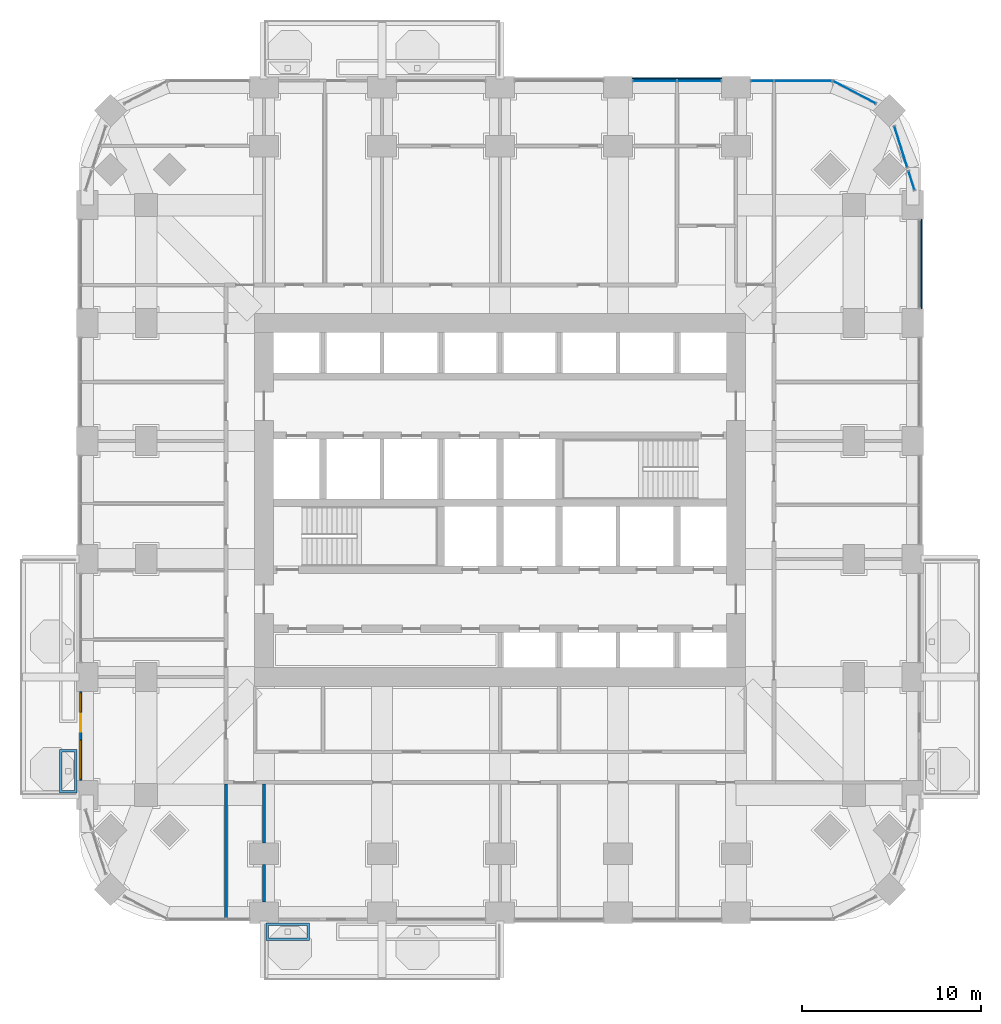
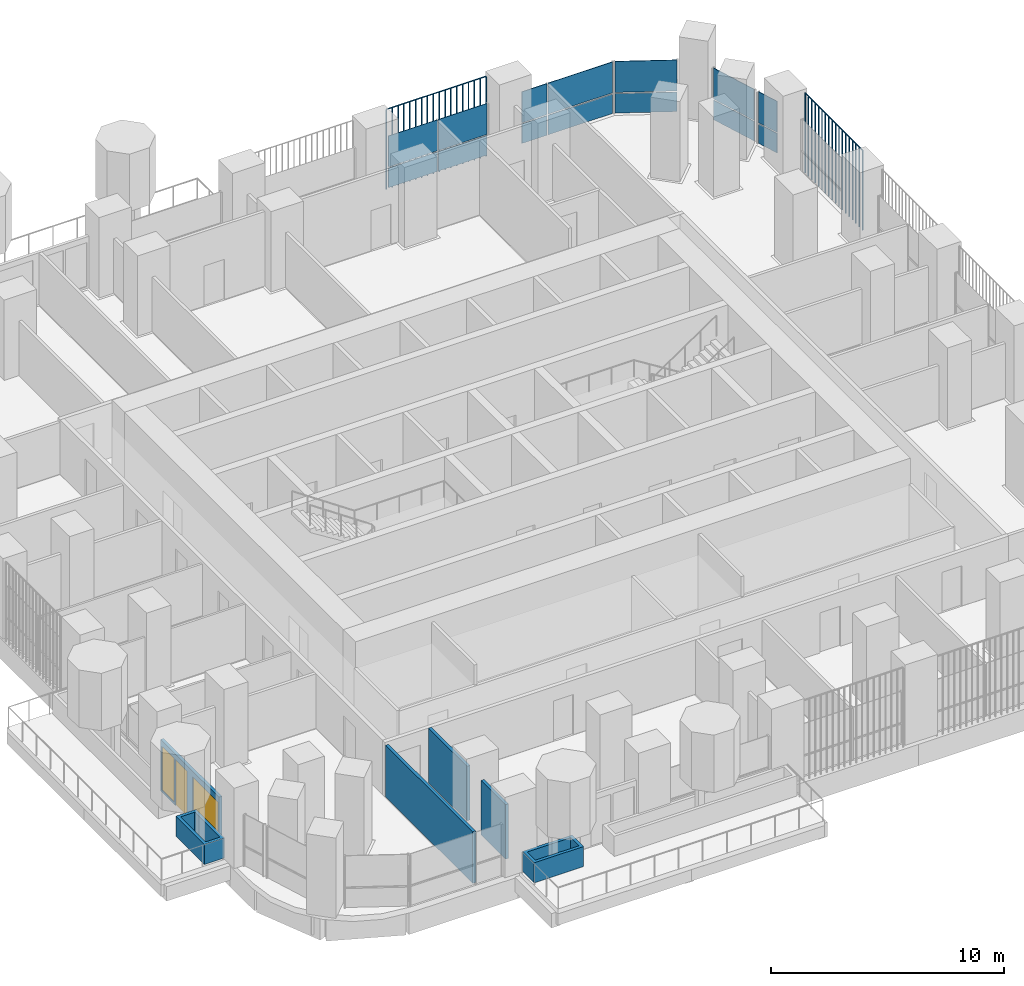
# One storey, part 12 of 21: 16 plates, 6 walls, 2 windows, 1 door, 3 openings, 5 elements without a shape of their own.
"""IFC4 building model written with IfcOpenShell, lengths in metres."""

from ifc_helpers import new_model, si_unit, direction, frame, frame_2d, origin, origin_2d, place, context, subcontext, project, spatial, polyline, rectangle, outline, extrude, material, layer, layer_set, type_object, element, fill, aggregate, save


model = new_model("IFC4")

# Units and contexts
model_context = context("Model", 3, precision=1e-05, world=origin(), true_north=direction((0.0, 1.0)))
body_context = subcontext(model_context, "Body", "Model", "MODEL_VIEW")
ifc_project = project(units=[si_unit("LENGTHUNIT", "METRE"), si_unit("AREAUNIT", "SQUARE_METRE"), si_unit("VOLUMEUNIT", "CUBIC_METRE"), si_unit("PLANEANGLEUNIT", "RADIAN"), si_unit("MASSUNIT", "GRAM", prefix="KILO")], contexts=[model_context])

# Site, building, storey
site_placement = place(None, origin())
site = spatial("IfcSite", under=ifc_project, at=site_placement, CompositionType="ELEMENT")
building_placement = place(site_placement, origin())
building = spatial("IfcBuilding", under=site, at=building_placement, Name="Cobogo Forest Laboratory Tower", CompositionType="ELEMENT")
storey_placement = place(building_placement, frame((0.0, 0.0, 107.39990234375)))
storey = spatial("IfcBuildingStorey", under=building, at=storey_placement, Name="L24", CompositionType="ELEMENT", Elevation=107.39990234375)

# Curtain wall, plates
ifc_material_1 = material(Name="Aluminium curtain wall", Category="aluminium")
curtain_wall_type = type_object("IfcCurtainWallType", Name="CW-1 unitised curtain wall, clear glazing, laboratory floors zones A and B", PredefinedType="USERDEFINED", material=ifc_material_1)
curtain_wall_1_placement = place(storey_placement, origin())
curtain_wall_1 = element("IfcCurtainWall", 1, at=curtain_wall_1_placement, inside=storey, type_object=curtain_wall_type, Name="Curtain wall 15 L24", ObjectType="UNITISED CURTAIN WALL", PredefinedType="USERDEFINED")
ifc_material_2 = material(Name="Clear insulated glass", Category="glass")
ifc_layer_1 = layer(ifc_material_2, 0.028076171875)
ifc_layer_set_1 = layer_set([ifc_layer_1], Name="GP-1 clear insulated glass unit 28")
plate_type_1 = type_object("IfcPlateType", Name="GP-1 clear insulated glass unit 28", PredefinedType="CURTAIN_PANEL", material=ifc_layer_set_1)
plate_1_placement = place(storey_placement, frame((49.41796875, 40.9677734375, 0.0), z_axis=(0.0, 0.0, 1.0), x_axis=(-0.301135667865, 0.953581307252, 0.0)))
plate_1 = element("IfcPlate", 2, at=plate_1_placement, type_object=plate_type_1, Name="CW-1 panel 1.1", PredefinedType="CURTAIN_PANEL", context=body_context, shape_type="SweptSolid", body=[
    extrude(rectangle(XDim=1.071044921875, YDim=0.028076171875, at=origin_2d()), origin(), (0.0, 0.0, 1.0), 1.02001953125),
])
plate_2_placement = place(storey_placement, frame((49.41796875, 40.9677734375, 1.080078125), z_axis=(0.0, 0.0, 1.0), x_axis=(-0.301135667865, 0.953581307252, 0.0)))
plate_2 = element("IfcPlate", 3, at=plate_2_placement, type_object=plate_type_1, Name="CW-1 panel 1.2", PredefinedType="CURTAIN_PANEL", context=body_context, shape_type="SweptSolid", body=[
    extrude(rectangle(XDim=1.071044921875, YDim=0.028076171875, at=origin_2d()), origin(), (0.0, 0.0, 1.0), 1.6201171875),
])
aggregate(curtain_wall_1, [plate_1, plate_2])

curtain_wall_2_placement = place(storey_placement, origin())
curtain_wall_2 = element("IfcCurtainWall", 4, at=curtain_wall_2_placement, inside=storey, type_object=curtain_wall_type, Name="Curtain wall 16 L24", ObjectType="UNITISED CURTAIN WALL", PredefinedType="USERDEFINED")
plate_3_placement = place(storey_placement, frame((48.8212890625, 42.857421875, 0.0), z_axis=(0.0, 0.0, 1.0), x_axis=(-0.301135291996, 0.953581425949, 0.0)))
plate_3 = element("IfcPlate", 5, at=plate_3_placement, type_object=plate_type_1, Name="CW-1 panel 1.1", PredefinedType="CURTAIN_PANEL", context=body_context, shape_type="SweptSolid", body=[
    extrude(rectangle(XDim=2.3681640625, YDim=0.028076171875, at=origin_2d()), origin(), (0.0, 0.0, 1.0), 1.02001953125),
])
plate_4_placement = place(storey_placement, frame((48.8212890625, 42.857421875, 1.080078125), z_axis=(0.0, 0.0, 1.0), x_axis=(-0.301135291996, 0.953581425949, 0.0)))
plate_4 = element("IfcPlate", 6, at=plate_4_placement, type_object=plate_type_1, Name="CW-1 panel 1.2", PredefinedType="CURTAIN_PANEL", context=body_context, shape_type="SweptSolid", body=[
    extrude(rectangle(XDim=2.3681640625, YDim=0.028076171875, at=origin_2d()), origin(), (0.0, 0.0, 1.0), 1.6201171875),
])
aggregate(curtain_wall_2, [plate_3, plate_4])

curtain_wall_3_placement = place(storey_placement, origin())
curtain_wall_3 = element("IfcCurtainWall", 7, at=curtain_wall_3_placement, inside=storey, type_object=curtain_wall_type, Name="Curtain wall 17 L24", ObjectType="UNITISED CURTAIN WALL", PredefinedType="USERDEFINED")
plate_5_placement = place(storey_placement, frame((46.229248046875, 45.90576171875, 0.0), z_axis=(0.0, 0.0, 1.0), x_axis=(-0.885686547075, 0.464283685186, 0.0)))
plate_5 = element("IfcPlate", 8, at=plate_5_placement, type_object=plate_type_1, Name="CW-1 panel 1.1", PredefinedType="CURTAIN_PANEL", context=body_context, shape_type="SweptSolid", body=[
    extrude(rectangle(XDim=2.655517578125, YDim=0.028076171875, at=origin_2d()), origin(), (0.0, 0.0, 1.0), 1.02001953125),
])
plate_6_placement = place(storey_placement, frame((46.229248046875, 45.90576171875, 1.080078125), z_axis=(0.0, 0.0, 1.0), x_axis=(-0.885686547075, 0.464283685186, 0.0)))
plate_6 = element("IfcPlate", 9, at=plate_6_placement, type_object=plate_type_1, Name="CW-1 panel 1.2", PredefinedType="CURTAIN_PANEL", context=body_context, shape_type="SweptSolid", body=[
    extrude(rectangle(XDim=2.655517578125, YDim=0.028076171875, at=origin_2d()), origin(), (0.0, 0.0, 1.0), 1.6201171875),
])
aggregate(curtain_wall_3, [plate_5, plate_6])

curtain_wall_4_placement = place(storey_placement, origin())
curtain_wall_4 = element("IfcCurtainWall", 10, at=curtain_wall_4_placement, inside=storey, type_object=curtain_wall_type, Name="Curtain wall 18 L24", ObjectType="UNITISED CURTAIN WALL", PredefinedType="USERDEFINED")
plate_7_placement = place(storey_placement, frame((43.347412109375, 46.550048828125, 0.0), z_axis=(0.0, 0.0, 1.0), x_axis=(-1.0, 0.0, 0.0)))
plate_7 = element("IfcPlate", 11, at=plate_7_placement, type_object=plate_type_1, Name="CW-1 panel 1.1", PredefinedType="CURTAIN_PANEL", context=body_context, shape_type="SweptSolid", body=[
    extrude(rectangle(XDim=3.18505859375, YDim=0.028076171875, at=origin_2d()), origin(), (0.0, 0.0, 1.0), 1.02001953125),
])
plate_8_placement = place(storey_placement, frame((43.347412109375, 46.550048828125, 1.080078125), z_axis=(0.0, 0.0, 1.0), x_axis=(-1.0, 0.0, 0.0)))
plate_8 = element("IfcPlate", 12, at=plate_8_placement, type_object=plate_type_1, Name="CW-1 panel 1.2", PredefinedType="CURTAIN_PANEL", context=body_context, shape_type="SweptSolid", body=[
    extrude(rectangle(XDim=3.18505859375, YDim=0.028076171875, at=origin_2d()), origin(), (0.0, 0.0, 1.0), 1.6201171875),
])
plate_9_placement = place(storey_placement, frame((41.077392578125, 46.550048828125, 0.0), z_axis=(0.0, 0.0, 1.0), x_axis=(-1.0, 0.0, 0.0)))
plate_9 = element("IfcPlate", 13, at=plate_9_placement, type_object=plate_type_1, Name="CW-1 panel 2.1", PredefinedType="CURTAIN_PANEL", context=body_context, shape_type="SweptSolid", body=[
    extrude(rectangle(XDim=1.235107421875, YDim=0.028076171875, at=origin_2d()), origin(), (0.0, 0.0, 1.0), 1.02001953125),
])
plate_10_placement = place(storey_placement, frame((41.077392578125, 46.550048828125, 1.080078125), z_axis=(0.0, 0.0, 1.0), x_axis=(-1.0, 0.0, 0.0)))
plate_10 = element("IfcPlate", 14, at=plate_10_placement, type_object=plate_type_1, Name="CW-1 panel 2.2", PredefinedType="CURTAIN_PANEL", context=body_context, shape_type="SweptSolid", body=[
    extrude(rectangle(XDim=1.235107421875, YDim=0.028076171875, at=origin_2d()), origin(), (0.0, 0.0, 1.0), 1.6201171875),
])
aggregate(curtain_wall_4, [plate_7, plate_8, plate_9, plate_10])

curtain_wall_5_placement = place(storey_placement, origin())
curtain_wall_5 = element("IfcCurtainWall", 15, at=curtain_wall_5_placement, inside=storey, type_object=curtain_wall_type, Name="Curtain wall 19 L24", ObjectType="UNITISED CURTAIN WALL", PredefinedType="USERDEFINED")
plate_11_placement = place(storey_placement, frame((37.534912109375, 46.550048828125, 0.0), z_axis=(0.0, 0.0, 1.0), x_axis=(-1.0, 0.0, 0.0)))
plate_11 = element("IfcPlate", 16, at=plate_11_placement, type_object=plate_type_1, Name="CW-1 panel 1.1", PredefinedType="CURTAIN_PANEL", context=body_context, shape_type="SweptSolid", body=[
    extrude(rectangle(XDim=2.409912109375, YDim=0.028076171875, at=origin_2d()), origin(), (0.0, 0.0, 1.0), 1.02001953125),
])
plate_12_placement = place(storey_placement, frame((37.534912109375, 46.550048828125, 1.080078125), z_axis=(0.0, 0.0, 1.0), x_axis=(-1.0, 0.0, 0.0)))
plate_12 = element("IfcPlate", 17, at=plate_12_placement, type_object=plate_type_1, Name="CW-1 panel 1.2", PredefinedType="CURTAIN_PANEL", context=body_context, shape_type="SweptSolid", body=[
    extrude(rectangle(XDim=2.409912109375, YDim=0.028076171875, at=origin_2d()), origin(), (0.0, 0.0, 1.0), 1.6201171875),
])
plate_13_placement = place(storey_placement, frame((35.06494140625, 46.550048828125, 0.0), z_axis=(0.0, 0.0, 1.0), x_axis=(-1.0, 0.0, 0.0)))
plate_13 = element("IfcPlate", 18, at=plate_13_placement, type_object=plate_type_1, Name="CW-1 panel 2.1", PredefinedType="CURTAIN_PANEL", context=body_context, shape_type="SweptSolid", body=[
    extrude(rectangle(XDim=2.409912109375, YDim=0.028076171875, at=origin_2d()), origin(), (0.0, 0.0, 1.0), 1.02001953125),
])
plate_14_placement = place(storey_placement, frame((35.06494140625, 46.550048828125, 1.080078125), z_axis=(0.0, 0.0, 1.0), x_axis=(-1.0, 0.0, 0.0)))
plate_14 = element("IfcPlate", 19, at=plate_14_placement, type_object=plate_type_1, Name="CW-1 panel 2.2", PredefinedType="CURTAIN_PANEL", context=body_context, shape_type="SweptSolid", body=[
    extrude(rectangle(XDim=2.409912109375, YDim=0.028076171875, at=origin_2d()), origin(), (0.0, 0.0, 1.0), 1.6201171875),
])
aggregate(curtain_wall_5, [plate_11, plate_12, plate_13, plate_14])

# Plates
ifc_material_3 = material(Name="Terracotta", Category="masonry")
plate_type_2 = type_object("IfcPlateType", Name="TB1 terracotta baguette screen", PredefinedType="USERDEFINED", material=ifc_material_3)
plate_15_placement = place(storey_placement, frame((49.977783203125, 33.831298828125, -0.14990234375)))
element("IfcPlate", 20, at=plate_15_placement, inside=storey, type_object=plate_type_2, Name="Baguette screen E5 L24", ObjectType="BAGUETTE SCREEN", PredefinedType="USERDEFINED", context=body_context, shape_type="SweptSolid", body=[
    extrude(outline(polyline([(0.02880859375, 0.011962890625), (0.011962890625, 0.02880859375), (-0.011962890625, 0.02880859375), (-0.02880859375, 0.011962890625), (-0.02880859375, -0.011962890625), (-0.011962890625, -0.02880859375), (0.011962890625, -0.02880859375), (0.02880859375, -0.011962890625), (0.02880859375, 0.011962890625)])), frame((0.0, 0.0, 4.168701171875), z_axis=(0.0, 1.0, 0.0), x_axis=(-1.0, 0.0, 0.0)), (0.0, 0.0, 1.0), 4.9375),
    extrude(outline(polyline([(0.02880859375, 0.011962890625), (0.011962890625, 0.02880859375), (-0.011962890625, 0.02880859375), (-0.02880859375, 0.011962890625), (-0.02880859375, -0.011962890625), (-0.011962890625, -0.02880859375), (0.011962890625, -0.02880859375), (0.02880859375, -0.011962890625), (0.02880859375, 0.011962890625)])), origin(), (0.0, 0.0, 1.0), 4.137451171875),
    extrude(outline(polyline([(0.02880859375, 0.011962890625), (0.011962890625, 0.02880859375), (-0.011962890625, 0.02880859375), (-0.02880859375, 0.011962890625), (-0.02880859375, -0.011962890625), (-0.011962890625, -0.02880859375), (0.011962890625, -0.02880859375), (0.02880859375, -0.011962890625), (0.02880859375, 0.011962890625)])), frame((0.0, 0.29052734375, 0.0)), (0.0, 0.0, 1.0), 4.137451171875),
    extrude(outline(polyline([(0.02880859375, 0.011962890625), (0.011962890625, 0.02880859375), (-0.011962890625, 0.02880859375), (-0.02880859375, 0.011962890625), (-0.02880859375, -0.011962890625), (-0.011962890625, -0.02880859375), (0.011962890625, -0.02880859375), (0.02880859375, -0.011962890625), (0.02880859375, 0.011962890625)])), frame((0.0, 0.580810546875, 0.0)), (0.0, 0.0, 1.0), 4.137451171875),
    extrude(outline(polyline([(0.02880859375, 0.011962890625), (0.011962890625, 0.02880859375), (-0.011962890625, 0.02880859375), (-0.02880859375, 0.011962890625), (-0.02880859375, -0.011962890625), (-0.011962890625, -0.02880859375), (0.011962890625, -0.02880859375), (0.02880859375, -0.011962890625), (0.02880859375, 0.011962890625)])), frame((0.0, 0.871337890625, 0.0)), (0.0, 0.0, 1.0), 4.137451171875),
    extrude(outline(polyline([(0.02880859375, 0.011962890625), (0.011962890625, 0.02880859375), (-0.011962890625, 0.02880859375), (-0.02880859375, 0.011962890625), (-0.02880859375, -0.011962890625), (-0.011962890625, -0.02880859375), (0.011962890625, -0.02880859375), (0.02880859375, -0.011962890625), (0.02880859375, 0.011962890625)])), frame((0.0, 1.161865234375, 0.0)), (0.0, 0.0, 1.0), 4.137451171875),
    extrude(outline(polyline([(0.02880859375, 0.011962890625), (0.011962890625, 0.02880859375), (-0.011962890625, 0.02880859375), (-0.02880859375, 0.011962890625), (-0.02880859375, -0.011962890625), (-0.011962890625, -0.02880859375), (0.011962890625, -0.02880859375), (0.02880859375, -0.011962890625), (0.02880859375, 0.011962890625)])), frame((0.0, 1.4521484375, 0.0)), (0.0, 0.0, 1.0), 4.137451171875),
    extrude(outline(polyline([(0.02880859375, 0.011962890625), (0.011962890625, 0.02880859375), (-0.011962890625, 0.02880859375), (-0.02880859375, 0.011962890625), (-0.02880859375, -0.011962890625), (-0.011962890625, -0.02880859375), (0.011962890625, -0.02880859375), (0.02880859375, -0.011962890625), (0.02880859375, 0.011962890625)])), frame((0.0, 1.74267578125, 0.0)), (0.0, 0.0, 1.0), 4.137451171875),
    extrude(outline(polyline([(0.02880859375, 0.011962890625), (0.011962890625, 0.02880859375), (-0.011962890625, 0.02880859375), (-0.02880859375, 0.011962890625), (-0.02880859375, -0.011962890625), (-0.011962890625, -0.02880859375), (0.011962890625, -0.02880859375), (0.02880859375, -0.011962890625), (0.02880859375, 0.011962890625)])), frame((0.0, 2.033203125, 0.0)), (0.0, 0.0, 1.0), 4.137451171875),
    extrude(outline(polyline([(0.02880859375, 0.011962890625), (0.011962890625, 0.02880859375), (-0.011962890625, 0.02880859375), (-0.02880859375, 0.011962890625), (-0.02880859375, -0.011962890625), (-0.011962890625, -0.02880859375), (0.011962890625, -0.02880859375), (0.02880859375, -0.011962890625), (0.02880859375, 0.011962890625)])), frame((0.0, 2.323486328125, 0.0)), (0.0, 0.0, 1.0), 4.137451171875),
    extrude(outline(polyline([(0.02880859375, 0.011962890625), (0.011962890625, 0.02880859375), (-0.011962890625, 0.02880859375), (-0.02880859375, 0.011962890625), (-0.02880859375, -0.011962890625), (-0.011962890625, -0.02880859375), (0.011962890625, -0.02880859375), (0.02880859375, -0.011962890625), (0.02880859375, 0.011962890625)])), frame((0.0, 2.614013671875, 0.0)), (0.0, 0.0, 1.0), 4.137451171875),
    extrude(outline(polyline([(0.02880859375, 0.011962890625), (0.011962890625, 0.02880859375), (-0.011962890625, 0.02880859375), (-0.02880859375, 0.011962890625), (-0.02880859375, -0.011962890625), (-0.011962890625, -0.02880859375), (0.011962890625, -0.02880859375), (0.02880859375, -0.011962890625), (0.02880859375, 0.011962890625)])), frame((0.0, 2.904296875, 0.0)), (0.0, 0.0, 1.0), 4.137451171875),
    extrude(outline(polyline([(0.02880859375, 0.011962890625), (0.011962890625, 0.02880859375), (-0.011962890625, 0.02880859375), (-0.02880859375, 0.011962890625), (-0.02880859375, -0.011962890625), (-0.011962890625, -0.02880859375), (0.011962890625, -0.02880859375), (0.02880859375, -0.011962890625), (0.02880859375, 0.011962890625)])), frame((0.0, 3.19482421875, 0.0)), (0.0, 0.0, 1.0), 4.137451171875),
    extrude(outline(polyline([(0.02880859375, 0.011962890625), (0.011962890625, 0.02880859375), (-0.011962890625, 0.02880859375), (-0.02880859375, 0.011962890625), (-0.02880859375, -0.011962890625), (-0.011962890625, -0.02880859375), (0.011962890625, -0.02880859375), (0.02880859375, -0.011962890625), (0.02880859375, 0.011962890625)])), frame((0.0, 3.4853515625, 0.0)), (0.0, 0.0, 1.0), 4.137451171875),
    extrude(outline(polyline([(0.02880859375, 0.011962890625), (0.011962890625, 0.02880859375), (-0.011962890625, 0.02880859375), (-0.02880859375, 0.011962890625), (-0.02880859375, -0.011962890625), (-0.011962890625, -0.02880859375), (0.011962890625, -0.02880859375), (0.02880859375, -0.011962890625), (0.02880859375, 0.011962890625)])), frame((0.0, 3.775634765625, 0.0)), (0.0, 0.0, 1.0), 4.137451171875),
    extrude(outline(polyline([(0.02880859375, 0.011962890625), (0.011962890625, 0.02880859375), (-0.011962890625, 0.02880859375), (-0.02880859375, 0.011962890625), (-0.02880859375, -0.011962890625), (-0.011962890625, -0.02880859375), (0.011962890625, -0.02880859375), (0.02880859375, -0.011962890625), (0.02880859375, 0.011962890625)])), frame((0.0, 4.066162109375, 0.0)), (0.0, 0.0, 1.0), 4.137451171875),
    extrude(outline(polyline([(0.02880859375, 0.011962890625), (0.011962890625, 0.02880859375), (-0.011962890625, 0.02880859375), (-0.02880859375, 0.011962890625), (-0.02880859375, -0.011962890625), (-0.011962890625, -0.02880859375), (0.011962890625, -0.02880859375), (0.02880859375, -0.011962890625), (0.02880859375, 0.011962890625)])), frame((0.0, 4.356689453125, 0.0)), (0.0, 0.0, 1.0), 4.137451171875),
    extrude(outline(polyline([(0.02880859375, 0.011962890625), (0.011962890625, 0.02880859375), (-0.011962890625, 0.02880859375), (-0.02880859375, 0.011962890625), (-0.02880859375, -0.011962890625), (-0.011962890625, -0.02880859375), (0.011962890625, -0.02880859375), (0.02880859375, -0.011962890625), (0.02880859375, 0.011962890625)])), frame((0.0, 4.64697265625, 0.0)), (0.0, 0.0, 1.0), 4.137451171875),
    extrude(outline(polyline([(0.02880859375, 0.011962890625), (0.011962890625, 0.02880859375), (-0.011962890625, 0.02880859375), (-0.02880859375, 0.011962890625), (-0.02880859375, -0.011962890625), (-0.011962890625, -0.02880859375), (0.011962890625, -0.02880859375), (0.02880859375, -0.011962890625), (0.02880859375, 0.011962890625)])), frame((0.0, 4.9375, 0.0)), (0.0, 0.0, 1.0), 4.137451171875),
])
plate_16_placement = place(storey_placement, frame((33.831298828125, 46.677978515625, -0.14990234375)))
element("IfcPlate", 21, at=plate_16_placement, inside=storey, type_object=plate_type_2, Name="Baguette screen N4 L24", ObjectType="BAGUETTE SCREEN", PredefinedType="USERDEFINED", context=body_context, shape_type="SweptSolid", body=[
    extrude(outline(polyline([(0.02880859375, 0.011962890625), (0.011962890625, 0.02880859375), (-0.011962890625, 0.02880859375), (-0.02880859375, 0.011962890625), (-0.02880859375, -0.011962890625), (-0.011962890625, -0.02880859375), (0.011962890625, -0.02880859375), (0.02880859375, -0.011962890625), (0.02880859375, 0.011962890625)])), frame((0.0, 0.0, 4.168701171875), z_axis=(1.0, 0.0, 0.0), x_axis=(0.0, 1.0, 0.0)), (0.0, 0.0, 1.0), 4.9375),
    extrude(outline(polyline([(0.02880859375, 0.011962890625), (0.011962890625, 0.02880859375), (-0.011962890625, 0.02880859375), (-0.02880859375, 0.011962890625), (-0.02880859375, -0.011962890625), (-0.011962890625, -0.02880859375), (0.011962890625, -0.02880859375), (0.02880859375, -0.011962890625), (0.02880859375, 0.011962890625)])), origin(), (0.0, 0.0, 1.0), 4.137451171875),
    extrude(outline(polyline([(0.02880859375, 0.011962890625), (0.011962890625, 0.02880859375), (-0.011962890625, 0.02880859375), (-0.02880859375, 0.011962890625), (-0.02880859375, -0.011962890625), (-0.011962890625, -0.02880859375), (0.011962890625, -0.02880859375), (0.02880859375, -0.011962890625), (0.02880859375, 0.011962890625)])), frame((0.29052734375, 0.0, 0.0)), (0.0, 0.0, 1.0), 4.137451171875),
    extrude(outline(polyline([(0.02880859375, 0.011962890625), (0.011962890625, 0.02880859375), (-0.011962890625, 0.02880859375), (-0.02880859375, 0.011962890625), (-0.02880859375, -0.011962890625), (-0.011962890625, -0.02880859375), (0.011962890625, -0.02880859375), (0.02880859375, -0.011962890625), (0.02880859375, 0.011962890625)])), frame((0.580810546875, 0.0, 0.0)), (0.0, 0.0, 1.0), 4.137451171875),
    extrude(outline(polyline([(0.02880859375, 0.011962890625), (0.011962890625, 0.02880859375), (-0.011962890625, 0.02880859375), (-0.02880859375, 0.011962890625), (-0.02880859375, -0.011962890625), (-0.011962890625, -0.02880859375), (0.011962890625, -0.02880859375), (0.02880859375, -0.011962890625), (0.02880859375, 0.011962890625)])), frame((0.871337890625, 0.0, 0.0)), (0.0, 0.0, 1.0), 4.137451171875),
    extrude(outline(polyline([(0.02880859375, 0.011962890625), (0.011962890625, 0.02880859375), (-0.011962890625, 0.02880859375), (-0.02880859375, 0.011962890625), (-0.02880859375, -0.011962890625), (-0.011962890625, -0.02880859375), (0.011962890625, -0.02880859375), (0.02880859375, -0.011962890625), (0.02880859375, 0.011962890625)])), frame((1.161865234375, 0.0, 0.0)), (0.0, 0.0, 1.0), 4.137451171875),
    extrude(outline(polyline([(0.02880859375, 0.011962890625), (0.011962890625, 0.02880859375), (-0.011962890625, 0.02880859375), (-0.02880859375, 0.011962890625), (-0.02880859375, -0.011962890625), (-0.011962890625, -0.02880859375), (0.011962890625, -0.02880859375), (0.02880859375, -0.011962890625), (0.02880859375, 0.011962890625)])), frame((1.4521484375, 0.0, 0.0)), (0.0, 0.0, 1.0), 4.137451171875),
    extrude(outline(polyline([(0.02880859375, 0.011962890625), (0.011962890625, 0.02880859375), (-0.011962890625, 0.02880859375), (-0.02880859375, 0.011962890625), (-0.02880859375, -0.011962890625), (-0.011962890625, -0.02880859375), (0.011962890625, -0.02880859375), (0.02880859375, -0.011962890625), (0.02880859375, 0.011962890625)])), frame((1.74267578125, 0.0, 0.0)), (0.0, 0.0, 1.0), 4.137451171875),
    extrude(outline(polyline([(0.02880859375, 0.011962890625), (0.011962890625, 0.02880859375), (-0.011962890625, 0.02880859375), (-0.02880859375, 0.011962890625), (-0.02880859375, -0.011962890625), (-0.011962890625, -0.02880859375), (0.011962890625, -0.02880859375), (0.02880859375, -0.011962890625), (0.02880859375, 0.011962890625)])), frame((2.033203125, 0.0, 0.0)), (0.0, 0.0, 1.0), 4.137451171875),
    extrude(outline(polyline([(0.02880859375, 0.011962890625), (0.011962890625, 0.02880859375), (-0.011962890625, 0.02880859375), (-0.02880859375, 0.011962890625), (-0.02880859375, -0.011962890625), (-0.011962890625, -0.02880859375), (0.011962890625, -0.02880859375), (0.02880859375, -0.011962890625), (0.02880859375, 0.011962890625)])), frame((2.323486328125, 0.0, 0.0)), (0.0, 0.0, 1.0), 4.137451171875),
    extrude(outline(polyline([(0.02880859375, 0.011962890625), (0.011962890625, 0.02880859375), (-0.011962890625, 0.02880859375), (-0.02880859375, 0.011962890625), (-0.02880859375, -0.011962890625), (-0.011962890625, -0.02880859375), (0.011962890625, -0.02880859375), (0.02880859375, -0.011962890625), (0.02880859375, 0.011962890625)])), frame((2.614013671875, 0.0, 0.0)), (0.0, 0.0, 1.0), 4.137451171875),
    extrude(outline(polyline([(0.02880859375, 0.011962890625), (0.011962890625, 0.02880859375), (-0.011962890625, 0.02880859375), (-0.02880859375, 0.011962890625), (-0.02880859375, -0.011962890625), (-0.011962890625, -0.02880859375), (0.011962890625, -0.02880859375), (0.02880859375, -0.011962890625), (0.02880859375, 0.011962890625)])), frame((2.904296875, 0.0, 0.0)), (0.0, 0.0, 1.0), 4.137451171875),
    extrude(outline(polyline([(0.02880859375, 0.011962890625), (0.011962890625, 0.02880859375), (-0.011962890625, 0.02880859375), (-0.02880859375, 0.011962890625), (-0.02880859375, -0.011962890625), (-0.011962890625, -0.02880859375), (0.011962890625, -0.02880859375), (0.02880859375, -0.011962890625), (0.02880859375, 0.011962890625)])), frame((3.19482421875, 0.0, 0.0)), (0.0, 0.0, 1.0), 4.137451171875),
    extrude(outline(polyline([(0.02880859375, 0.011962890625), (0.011962890625, 0.02880859375), (-0.011962890625, 0.02880859375), (-0.02880859375, 0.011962890625), (-0.02880859375, -0.011962890625), (-0.011962890625, -0.02880859375), (0.011962890625, -0.02880859375), (0.02880859375, -0.011962890625), (0.02880859375, 0.011962890625)])), frame((3.4853515625, 0.0, 0.0)), (0.0, 0.0, 1.0), 4.137451171875),
    extrude(outline(polyline([(0.02880859375, 0.011962890625), (0.011962890625, 0.02880859375), (-0.011962890625, 0.02880859375), (-0.02880859375, 0.011962890625), (-0.02880859375, -0.011962890625), (-0.011962890625, -0.02880859375), (0.011962890625, -0.02880859375), (0.02880859375, -0.011962890625), (0.02880859375, 0.011962890625)])), frame((3.775634765625, 0.0, 0.0)), (0.0, 0.0, 1.0), 4.137451171875),
    extrude(outline(polyline([(0.02880859375, 0.011962890625), (0.011962890625, 0.02880859375), (-0.011962890625, 0.02880859375), (-0.02880859375, 0.011962890625), (-0.02880859375, -0.011962890625), (-0.011962890625, -0.02880859375), (0.011962890625, -0.02880859375), (0.02880859375, -0.011962890625), (0.02880859375, 0.011962890625)])), frame((4.066162109375, 0.0, 0.0)), (0.0, 0.0, 1.0), 4.137451171875),
    extrude(outline(polyline([(0.02880859375, 0.011962890625), (0.011962890625, 0.02880859375), (-0.011962890625, 0.02880859375), (-0.02880859375, 0.011962890625), (-0.02880859375, -0.011962890625), (-0.011962890625, -0.02880859375), (0.011962890625, -0.02880859375), (0.02880859375, -0.011962890625), (0.02880859375, 0.011962890625)])), frame((4.356689453125, 0.0, 0.0)), (0.0, 0.0, 1.0), 4.137451171875),
    extrude(outline(polyline([(0.02880859375, 0.011962890625), (0.011962890625, 0.02880859375), (-0.011962890625, 0.02880859375), (-0.02880859375, 0.011962890625), (-0.02880859375, -0.011962890625), (-0.011962890625, -0.02880859375), (0.011962890625, -0.02880859375), (0.02880859375, -0.011962890625), (0.02880859375, 0.011962890625)])), frame((4.64697265625, 0.0, 0.0)), (0.0, 0.0, 1.0), 4.137451171875),
    extrude(outline(polyline([(0.02880859375, 0.011962890625), (0.011962890625, 0.02880859375), (-0.011962890625, 0.02880859375), (-0.02880859375, 0.011962890625), (-0.02880859375, -0.011962890625), (-0.011962890625, -0.02880859375), (0.011962890625, -0.02880859375), (0.02880859375, -0.011962890625), (0.02880859375, 0.011962890625)])), frame((4.9375, 0.0, 0.0)), (0.0, 0.0, 1.0), 4.137451171875),
])

# Wall, openings, door, windows
ifc_material_4 = material(Name="Aluminium framed glazed screen", Category="aluminium")
ifc_layer_2 = layer(ifc_material_4, 0.14990234375)
ifc_layer_set_2 = layer_set([ifc_layer_2], Name="GS1 glazed door screen 150")
wall_type_1 = type_object("IfcWallType", Name="GS1 glazed door screen 150", PredefinedType="SOLIDWALL", material=ifc_layer_set_2)
wall_1_placement = place(storey_placement, frame((2.949951171875, 12.39990234375, 0.0), z_axis=(0.0, 0.0, 1.0), x_axis=(0.0, -1.0, 0.0)))
wall_1 = element("IfcWall", 22, at=wall_1_placement, inside=storey, type_object=wall_type_1, Name="Door screen BAL-W1 L24", PredefinedType="SOLIDWALL", context=body_context, shape_type="SweptSolid", body=[
    extrude(rectangle(XDim=5.0, YDim=0.14990234375, at=frame_2d((2.5, 0.0))), origin(), (0.0, 0.0, 1.0), 2.7001953125),
])
opening_1_placement = place(wall_1_placement, frame((1.25, 0.0, 0.0)))
opening_1 = element("IfcOpeningElement", 23, at=opening_1_placement, cuts=wall_1, Name="Opening L24-D12", PredefinedType="OPENING", context=body_context, shape_type="SweptSolid", body=[
    extrude(rectangle(XDim=1.0, YDim=2.39990234375, at=frame_2d((0.5, 1.199951171875))), frame((0.0, 0.0849609375, 0.0), z_axis=(0.0, -1.0, 0.0), x_axis=(1.0, 0.0, 0.0)), (0.0, 0.0, 1.0), 0.169921875),
])
opening_2_placement = place(wall_1_placement, frame((0.10009765625, 0.0, 0.10009765625)))
opening_2 = element("IfcOpeningElement", 24, at=opening_2_placement, cuts=wall_1, Name="Opening L24-W05", PredefinedType="OPENING", context=body_context, shape_type="SweptSolid", body=[
    extrude(rectangle(XDim=1.050048828125, YDim=2.300048828125, at=frame_2d((0.52490234375, 1.14990234375))), frame((0.0, 0.0849609375, 0.0), z_axis=(0.0, -1.0, 0.0), x_axis=(1.0, 0.0, 0.0)), (0.0, 0.0, 1.0), 0.169921875),
])
opening_3_placement = place(wall_1_placement, frame((2.75, 0.0, 0.10009765625)))
opening_3 = element("IfcOpeningElement", 25, at=opening_3_placement, cuts=wall_1, Name="Opening L24-W03", PredefinedType="OPENING", context=body_context, shape_type="SweptSolid", body=[
    extrude(rectangle(XDim=2.14990234375, YDim=2.300048828125, at=frame_2d((1.074951171875, 1.14990234375))), frame((0.0, 0.0849609375, 0.0), z_axis=(0.0, -1.0, 0.0), x_axis=(1.0, 0.0, 0.0)), (0.0, 0.0, 1.0), 0.169921875),
])
ifc_material_5 = material(Name="Aluminium glazed door", Category="aluminium")
door_type = type_object("IfcDoorType", Name="DB1 balcony door 1000 glazed", OperationType="SINGLE_SWING_LEFT", PredefinedType="DOOR", material=ifc_material_5)
door_placement = place(opening_1_placement, origin())
door = element("IfcDoor", 26, at=door_placement, inside=storey, type_object=door_type, Name="Door L24-BAL-W1", OperationType="SINGLE_SWING_LEFT", OverallHeight=2.39990234375, OverallWidth=1.0, PredefinedType="DOOR", context=body_context, shape_type="SweptSolid", body=[
    extrude(rectangle(XDim=1.0, YDim=2.39990234375, at=frame_2d((0.5, 1.199951171875))), frame((0.0, 0.02490234375, 0.0), z_axis=(0.0, -1.0, 0.0), x_axis=(1.0, 0.0, 0.0)), (0.0, 0.0, 1.0), 0.050048828125),
])
fill(opening_1, door)
ifc_material_6 = material(Name="Aluminium framed glazing", Category="aluminium")
window_type_1 = type_object("IfcWindowType", Name="WG13 fixed glazed light 2150x2300", PartitioningType="SINGLE_PANEL", PredefinedType="WINDOW", material=ifc_material_6)
window_1_placement = place(opening_3_placement, origin())
window_1 = element("IfcWindow", 27, at=window_1_placement, inside=storey, type_object=window_type_1, Name="Window L24-BAL-W1-2", OverallHeight=2.300048828125, OverallWidth=2.14990234375, PartitioningType="SINGLE_PANEL", PredefinedType="WINDOW", context=body_context, shape_type="SweptSolid", body=[
    extrude(rectangle(XDim=2.14990234375, YDim=2.300048828125, at=frame_2d((1.074951171875, 1.14990234375))), frame((0.0, 0.030029296875, 0.0), z_axis=(0.0, -1.0, 0.0), x_axis=(1.0, 0.0, 0.0)), (0.0, 0.0, 1.0), 0.06005859375),
])
fill(opening_3, window_1)
window_type_2 = type_object("IfcWindowType", Name="WG14 fixed glazed light 1050x2300", PartitioningType="SINGLE_PANEL", PredefinedType="WINDOW", material=ifc_material_6)
window_2_placement = place(opening_2_placement, origin())
window_2 = element("IfcWindow", 28, at=window_2_placement, inside=storey, type_object=window_type_2, Name="Window L24-BAL-W1-1", OverallHeight=2.300048828125, OverallWidth=1.050048828125, PartitioningType="SINGLE_PANEL", PredefinedType="WINDOW", context=body_context, shape_type="SweptSolid", body=[
    extrude(rectangle(XDim=1.050048828125, YDim=2.300048828125, at=frame_2d((0.52490234375, 1.14990234375))), frame((0.0, 0.030029296875, 0.0), z_axis=(0.0, -1.0, 0.0), x_axis=(1.0, 0.0, 0.0)), (0.0, 0.0, 1.0), 0.06005859375),
])
fill(opening_2, window_2)

# Walls
ifc_material_7 = material(Name="Gypsum board on steel studs", Category="steel")
ifc_layer_3 = layer(ifc_material_7, 0.14990234375)
ifc_layer_set_3 = layer_set([ifc_layer_3], Name="PT1 laboratory partition 150")
wall_type_2 = type_object("IfcWallType", Name="PT1 laboratory partition 150", PredefinedType="PARTITIONING", material=ifc_layer_set_3)
wall_2_placement = place(storey_placement, frame((11.074951171875, -0.27001953125, 0.0), z_axis=(0.0, 0.0, 1.0), x_axis=(0.0, 1.0, 0.0)))
element("IfcWall", 29, at=wall_2_placement, inside=storey, type_object=wall_type_2, Name="Partition PW-SW L24", PredefinedType="PARTITIONING", context=body_context, shape_type="SweptSolid", body=[
    extrude(rectangle(XDim=7.469970703125, YDim=0.14990234375, at=frame_2d((3.73486328125, 0.0))), origin(), (0.0, 0.0, 1.0), 2.7001953125),
])
wall_3_placement = place(storey_placement, frame((13.199951171875, 0.60009765625, 0.0), z_axis=(0.0, 0.0, 1.0), x_axis=(0.0, 1.0, 0.0)))
element("IfcWall", 30, at=wall_3_placement, inside=storey, type_object=wall_type_2, Name="Partition CUT-S13.2-1 L24", PredefinedType="PARTITIONING", context=body_context, shape_type="SweptSolid", body=[
    extrude(rectangle(XDim=2.099853515625, YDim=0.14990234375, at=frame_2d((1.0498046875, 0.0))), origin(), (0.0, 0.0, 1.0), 2.85009765625),
])
wall_4_placement = place(storey_placement, frame((13.199951171875, 3.89990234375, 0.0), z_axis=(0.0, 0.0, 1.0), x_axis=(0.0, 1.0, 0.0)))
element("IfcWall", 31, at=wall_4_placement, inside=storey, type_object=wall_type_2, Name="Partition CUT-S13.2-2 L24", PredefinedType="PARTITIONING", context=body_context, shape_type="SweptSolid", body=[
    extrude(rectangle(XDim=3.300048828125, YDim=0.14990234375, at=frame_2d((1.64990234375, 0.0))), origin(), (0.0, 0.0, 1.0), 2.85009765625),
])
ifc_material_8 = material(Name="Concrete HA-40 (C40/50)", Category="concrete")
ifc_layer_4 = layer(ifc_material_8, 0.14990234375)
ifc_layer_set_4 = layer_set([ifc_layer_4], Name="Planter box 1000x1050")
wall_type_3 = type_object("IfcWallType", Name="Planter box 1000x1050", PredefinedType="USERDEFINED", material=ifc_layer_set_4)
wall_5_placement = place(storey_placement, origin())
element("IfcWall", 32, at=wall_5_placement, inside=storey, type_object=wall_type_3, Name="Planter BAL-S1-1 L24", ObjectType="PLANTER", PredefinedType="USERDEFINED", context=body_context, shape_type="SweptSolid", body=[
    extrude(outline(polyline([(13.300048828125, -1.550048828125), (15.75, -1.550048828125), (15.75, -0.550048828125), (13.300048828125, -0.550048828125), (13.300048828125, -1.550048828125)]), holes=[polyline([(13.449951171875, -1.39990234375), (15.60009765625, -1.39990234375), (15.60009765625, -0.699951171875), (13.449951171875, -0.699951171875), (13.449951171875, -1.39990234375)])]), origin(), (0.0, 0.0, 1.0), 1.050048828125),
])
wall_6_placement = place(storey_placement, origin())
element("IfcWall", 33, at=wall_6_placement, inside=storey, type_object=wall_type_3, Name="Planter BAL-W1-1 L24", ObjectType="PLANTER", PredefinedType="USERDEFINED", context=body_context, shape_type="SweptSolid", body=[
    extrude(outline(polyline([(1.75, 6.699951171875), (2.75, 6.699951171875), (2.75, 9.14990234375), (1.75, 9.14990234375), (1.75, 6.699951171875)]), holes=[polyline([(1.89990234375, 6.85009765625), (2.60009765625, 6.85009765625), (2.60009765625, 9.0), (1.89990234375, 9.0), (1.89990234375, 6.85009765625)])]), origin(), (0.0, 0.0, 1.0), 1.050048828125),
])

save(model, "model.ifc")
